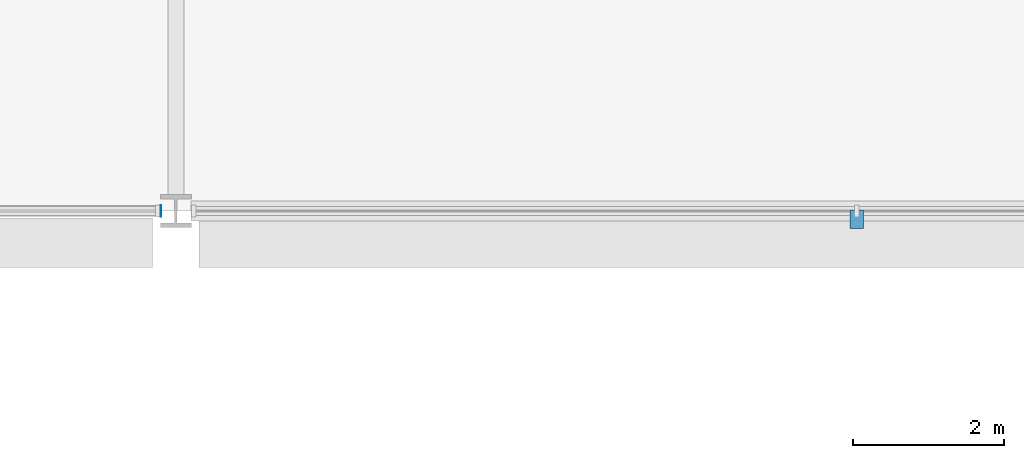
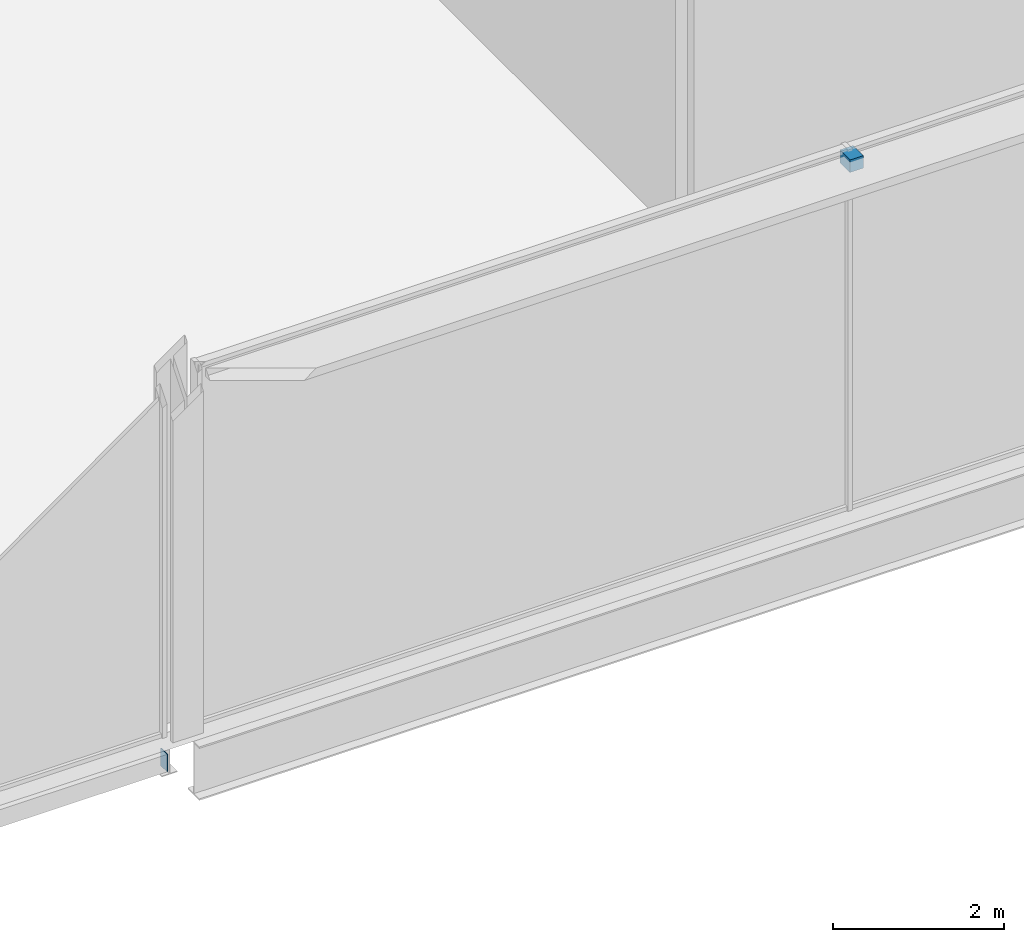
# One storey, part 78 of 111: 2 discrete accessories.
"""IFC4 building model written with IfcOpenShell, lengths in metres."""

from ifc_helpers import new_model, si_unit, direction, frame, origin, origin_2d, place, context, subcontext, project, spatial, polyline, rectangle, outline, extrude, material, layer, layer_set, type_object, element, save


model = new_model("IFC4")

# Units and contexts
model_context = context("Model", 3, precision=1e-05, world=origin(), true_north=direction((0.0, 1.0)))
body_context = subcontext(model_context, "Body", "Model", "MODEL_VIEW")
ifc_project = project(units=[si_unit("LENGTHUNIT", "METRE"), si_unit("AREAUNIT", "SQUARE_METRE"), si_unit("VOLUMEUNIT", "CUBIC_METRE"), si_unit("PLANEANGLEUNIT", "RADIAN"), si_unit("MASSUNIT", "GRAM", prefix="KILO")], contexts=[model_context])

# Site, building, storey
site_placement = place(None, origin())
site = spatial("IfcSite", under=ifc_project, at=site_placement, CompositionType="ELEMENT")
building_placement = place(site_placement, origin())
building = spatial("IfcBuilding", under=site, at=building_placement, Name="Kisiwana Market Hall", CompositionType="ELEMENT")
storey_placement = place(building_placement, frame((0.0, 0.0, 11.39990234375)))
storey = spatial("IfcBuildingStorey", under=building, at=storey_placement, Name="L02", CompositionType="ELEMENT", Elevation=11.39990234375)

# Discrete accessories
ifc_material_1 = material(Name="Steel S355", Category="steel")
discrete_accessory_type_1 = type_object("IfcDiscreteAccessoryType", Name="ACC-BRACKET-STL", PredefinedType="BRACKET", material=ifc_material_1)
discrete_accessory_1_placement = place(storey_placement, frame((126.0, 83.889892578125, 4.93994140625), z_axis=(0.0, 0.0, 1.0), x_axis=(1.0, 0.0, 0.0)))
element("IfcDiscreteAccessory", 1, at=discrete_accessory_1_placement, inside=storey, type_object=discrete_accessory_type_1, Name="Sunshade steel bracket BRK-049", PredefinedType="BRACKET", context=body_context, shape_type="SweptSolid", body=[
    extrude(rectangle(XDim=0.179931640625, YDim=0.239990234375, at=origin_2d()), origin(), (0.0, 0.0, 1.0), 0.179931640625),
])
ifc_material_2 = material(Name="Steel S355", Category="steel")
ifc_layer = layer(ifc_material_2, 0.011962890625)
ifc_layer_set = layer_set([ifc_layer], Name="ACC-ENDCAP-STL")
discrete_accessory_type_2 = type_object("IfcDiscreteAccessoryType", Name="ACC-ENDCAP-STL", PredefinedType="USERDEFINED", material=ifc_layer_set)
discrete_accessory_2_placement = place(storey_placement, frame((0.0, 0.0, -0.5)))
element("IfcDiscreteAccessory", 2, at=discrete_accessory_2_placement, inside=storey, type_object=discrete_accessory_type_2, Name="End cap plate EC-0029", ObjectType="End cap plate", PredefinedType="USERDEFINED", context=body_context, shape_type="SweptSolid", body=[
    extrude(outline(polyline([(116.798095703125, 83.925048828125), (116.81005859375, 83.925048828125), (116.81005859375, 84.074951171875), (116.798095703125, 84.074951171875), (116.798095703125, 83.925048828125)])), origin(), (0.0, 0.0, 1.0), 0.25),
])

save(model, "model.ifc")
